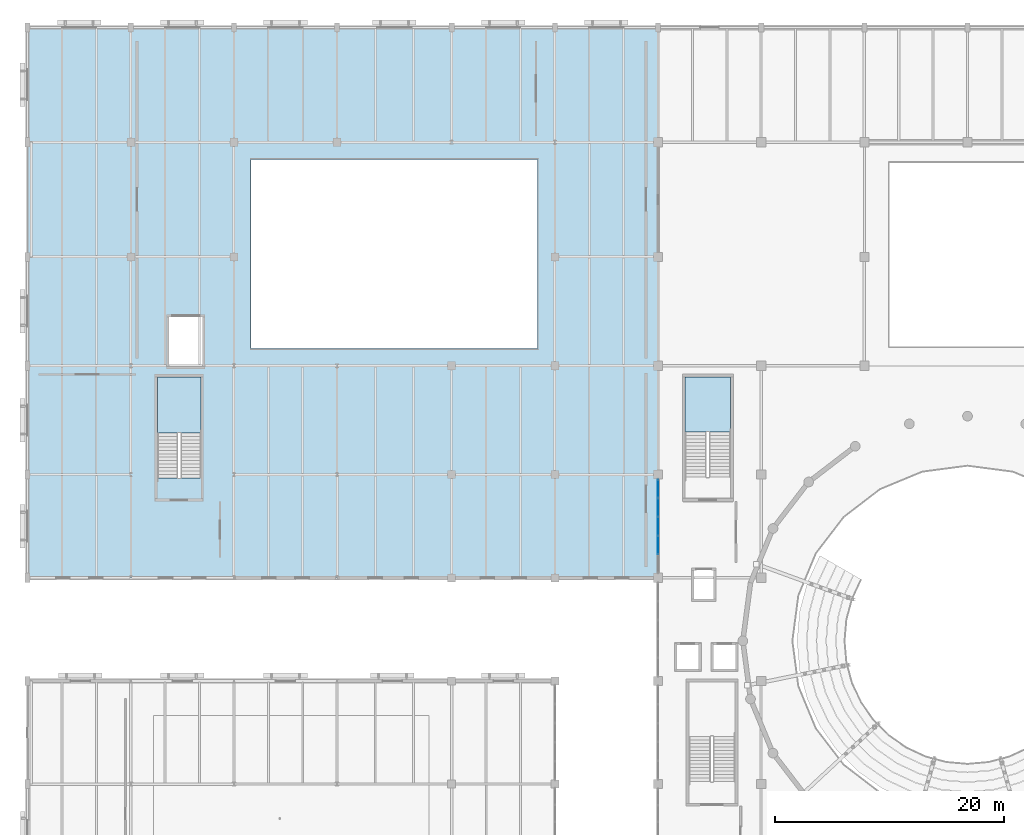
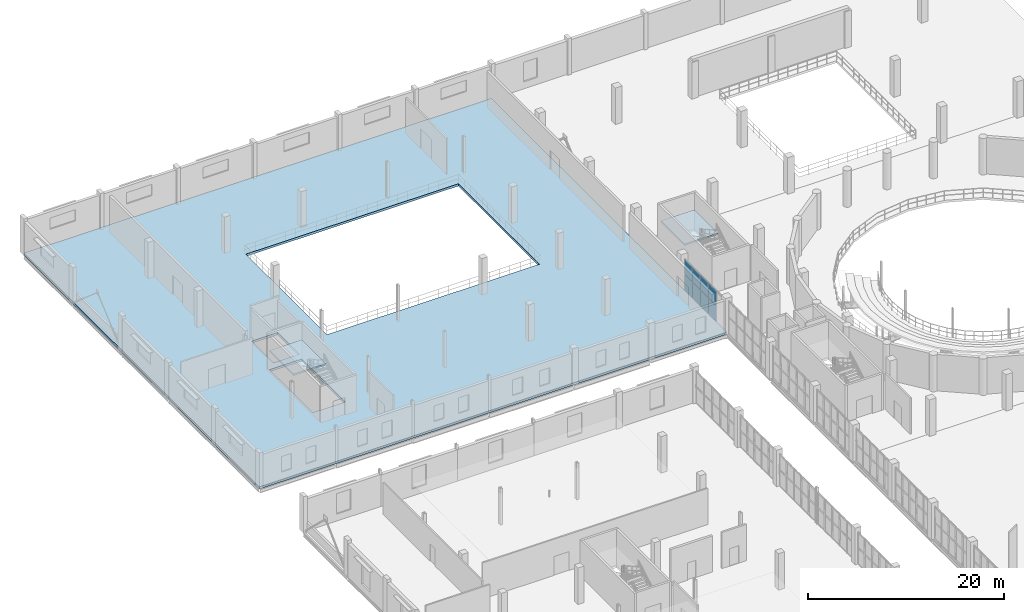
# One storey, part 61 of 93: 8 plates, 3 slabs, 3 elements without a shape of their own.
"""IFC4 building model written with IfcOpenShell, lengths in metres."""

from ifc_helpers import new_model, si_unit, direction, frame, origin, origin_2d, place, context, subcontext, project, spatial, polyline, rectangle, outline, extrude, material, layer, layer_set, type_object, element, aggregate, save


model = new_model("IFC4")

# Units and contexts
model_context = context("Model", 3, precision=1e-05, world=origin(), true_north=direction((0.0, 1.0)))
body_context = subcontext(model_context, "Body", "Model", "MODEL_VIEW")
ifc_project = project(units=[si_unit("LENGTHUNIT", "METRE"), si_unit("AREAUNIT", "SQUARE_METRE"), si_unit("VOLUMEUNIT", "CUBIC_METRE"), si_unit("PLANEANGLEUNIT", "RADIAN"), si_unit("MASSUNIT", "GRAM", prefix="KILO")], contexts=[model_context])

# Site, building, storey
site_placement = place(None, origin())
site = spatial("IfcSite", under=ifc_project, at=site_placement, CompositionType="ELEMENT")
building_placement = place(site_placement, origin())
building = spatial("IfcBuilding", under=site, at=building_placement, Name="Marnock Terrace Opera House", CompositionType="ELEMENT")
storey_placement = place(building_placement, frame((0.0, 0.0, 5.39990234375)))
storey = spatial("IfcBuildingStorey", under=building, at=storey_placement, Name="L01", CompositionType="ELEMENT", Elevation=5.39990234375)

# Curtain wall, plates
ifc_material_1 = material(Name="Anodised architectural bronze aluminium framing", Category="aluminium")
ifc_layer_1 = layer(ifc_material_1, 0.159912109375)
ifc_layer_set_1 = layer_set([ifc_layer_1], Name="Anodised architectural bronze aluminium framing")
curtain_wall_type = type_object("IfcCurtainWallType", Name="CW-FOYER-90x45", PredefinedType="NOTDEFINED", material=ifc_layer_set_1)
curtain_wall_placement = place(storey_placement, origin())
curtain_wall = element("IfcCurtainWall", 1, at=curtain_wall_placement, inside=storey, type_object=curtain_wall_type, Name="L01 glazed Beaux-Arts colonnade curtain wall CW-V1W-L01-08", PredefinedType="NOTDEFINED")
ifc_layer_2 = layer(ifc_material_1, 0.035888671875)
ifc_layer_set_2 = layer_set([ifc_layer_2], Name="Anodised architectural bronze aluminium framing")
plate_type = type_object("IfcPlateType", Name="CWP-SPAND-36", PredefinedType="CURTAIN_PANEL", material=ifc_layer_set_2)
plate_1_placement = place(storey_placement, frame((55.0, 68.8583984375, 0.06005859375), z_axis=(0.0, 0.0, 1.0), x_axis=(0.0, 1.0, 0.0)))
plate_1 = element("IfcPlate", 2, at=plate_1_placement, type_object=plate_type, Name="CW-27 panel 2.1", PredefinedType="CURTAIN_PANEL", context=body_context, shape_type="SweptSolid", body=[
    extrude(rectangle(XDim=1.58154296875, YDim=0.028076171875, at=origin_2d()), origin(), (0.0, 0.0, 1.0), 1.942138671875),
])
plate_2_placement = place(storey_placement, frame((55.0, 68.8583984375, 2.06201171875), z_axis=(0.0, 0.0, 1.0), x_axis=(0.0, 1.0, 0.0)))
plate_2 = element("IfcPlate", 3, at=plate_2_placement, type_object=plate_type, Name="CW-27 panel 2.2", PredefinedType="CURTAIN_PANEL", context=body_context, shape_type="SweptSolid", body=[
    extrude(rectangle(XDim=1.58154296875, YDim=0.028076171875, at=origin_2d()), origin(), (0.0, 0.0, 1.0), 1.785888671875),
])
plate_3_placement = place(storey_placement, frame((55.0, 70.5, 0.06005859375), z_axis=(0.0, 0.0, 1.0), x_axis=(0.0, 1.0, 0.0)))
plate_3 = element("IfcPlate", 4, at=plate_3_placement, type_object=plate_type, Name="CW-27 panel 3.1", PredefinedType="CURTAIN_PANEL", context=body_context, shape_type="SweptSolid", body=[
    extrude(rectangle(XDim=1.58154296875, YDim=0.028076171875, at=origin_2d()), origin(), (0.0, 0.0, 1.0), 1.942138671875),
])
plate_4_placement = place(storey_placement, frame((55.0, 70.5, 2.06201171875), z_axis=(0.0, 0.0, 1.0), x_axis=(0.0, 1.0, 0.0)))
plate_4 = element("IfcPlate", 5, at=plate_4_placement, type_object=plate_type, Name="CW-27 panel 3.2", PredefinedType="CURTAIN_PANEL", context=body_context, shape_type="SweptSolid", body=[
    extrude(rectangle(XDim=1.58154296875, YDim=0.028076171875, at=origin_2d()), origin(), (0.0, 0.0, 1.0), 1.785888671875),
])
plate_5_placement = place(storey_placement, frame((55.0, 72.1416015625, 0.06005859375), z_axis=(0.0, 0.0, 1.0), x_axis=(0.0, 1.0, 0.0)))
plate_5 = element("IfcPlate", 6, at=plate_5_placement, type_object=plate_type, Name="CW-27 panel 4.1", PredefinedType="CURTAIN_PANEL", context=body_context, shape_type="SweptSolid", body=[
    extrude(rectangle(XDim=1.58154296875, YDim=0.028076171875, at=origin_2d()), origin(), (0.0, 0.0, 1.0), 1.942138671875),
])
plate_6_placement = place(storey_placement, frame((55.0, 72.1416015625, 2.06201171875), z_axis=(0.0, 0.0, 1.0), x_axis=(0.0, 1.0, 0.0)))
plate_6 = element("IfcPlate", 7, at=plate_6_placement, type_object=plate_type, Name="CW-27 panel 4.2", PredefinedType="CURTAIN_PANEL", context=body_context, shape_type="SweptSolid", body=[
    extrude(rectangle(XDim=1.58154296875, YDim=0.028076171875, at=origin_2d()), origin(), (0.0, 0.0, 1.0), 1.785888671875),
])
plate_7_placement = place(storey_placement, frame((55.0, 73.768310546875, 0.06005859375), z_axis=(0.0, 0.0, 1.0), x_axis=(0.0, 1.0, 0.0)))
plate_7 = element("IfcPlate", 8, at=plate_7_placement, type_object=plate_type, Name="CW-27 panel 5.1", PredefinedType="CURTAIN_PANEL", context=body_context, shape_type="SweptSolid", body=[
    extrude(rectangle(XDim=1.551513671875, YDim=0.028076171875, at=origin_2d()), origin(), (0.0, 0.0, 1.0), 1.942138671875),
])
plate_8_placement = place(storey_placement, frame((55.0, 73.768310546875, 2.06201171875), z_axis=(0.0, 0.0, 1.0), x_axis=(0.0, 1.0, 0.0)))
plate_8 = element("IfcPlate", 9, at=plate_8_placement, type_object=plate_type, Name="CW-27 panel 5.2", PredefinedType="CURTAIN_PANEL", context=body_context, shape_type="SweptSolid", body=[
    extrude(rectangle(XDim=1.551513671875, YDim=0.028076171875, at=origin_2d()), origin(), (0.0, 0.0, 1.0), 1.785888671875),
])
aggregate(curtain_wall, [plate_1, plate_2, plate_3, plate_4, plate_5, plate_6, plate_7, plate_8])

# Slab
ifc_material_2 = material(Name="Concrete N40 (f'c = 40 MPa)", Category="concrete")
ifc_layer_3 = layer(ifc_material_2, 0.280029296875)
ifc_layer_set_3 = layer_set([ifc_layer_3], Name="Concrete N40 (f'c = 40 MPa)")
slab_type_1 = type_object("IfcSlabType", Name="SL-FLR-280", PredefinedType="FLOOR", material=ifc_layer_set_3)
slab_1_placement = place(storey_placement, frame((0.0, 0.0, -0.27978515625)))
element("IfcSlab", 10, at=slab_1_placement, inside=storey, type_object=slab_type_1, Name="L01 Workshops Wing structural floor slab", PredefinedType="FLOOR", context=body_context, shape_type="SweptSolid", body=[
    extrude(outline(polyline([(0.0, 66.0), (55.0, 66.0), (55.0, 114.0), (0.0, 114.0), (0.0, 66.0)]), holes=[polyline([(15.1201171875, 74.719970703125), (15.1201171875, 83.52001953125), (11.320068359375, 83.52001953125), (11.320068359375, 74.719970703125), (15.1201171875, 74.719970703125)]), polyline([(12.280029296875, 84.3798828125), (15.320068359375, 84.3798828125), (15.320068359375, 88.820068359375), (12.280029296875, 88.820068359375), (12.280029296875, 84.3798828125)]), polyline([(19.5, 86.0), (44.5, 86.0), (44.5, 102.5), (19.5, 102.5), (19.5, 86.0)])]), origin(), (0.0, 0.0, 1.0), 0.27978515625),
])

# Stair, slab
stair_type_1 = type_object("IfcStairType", Name="ST-TYPE-2400", PredefinedType="HALF_TURN_STAIR", material=ifc_material_2)
stair_1_placement = place(storey_placement, origin())
stair_1 = element("IfcStair", 11, at=stair_1_placement, inside=storey, type_object=stair_type_1, Name="L01 ST-03", PredefinedType="HALF_TURN_STAIR")
ifc_material_3 = material(Name="Concrete N32 (f'c = 32 MPa)", Category="concrete")
ifc_layer_4 = layer(ifc_material_3, 0.199951171875)
ifc_layer_set_4 = layer_set([ifc_layer_4], Name="Concrete N32 (f'c = 32 MPa)")
slab_type_2 = type_object("IfcSlabType", Name="SL-LAND-200", PredefinedType="LANDING", material=ifc_layer_set_4)
slab_2_placement = place(storey_placement, frame((0.0, 0.0, 2.2001953125)))
slab_2 = element("IfcSlab", 12, at=slab_2_placement, type_object=slab_type_2, Name="ST-03 landing 1", PredefinedType="LANDING", context=body_context, shape_type="SweptSolid", body=[
    extrude(outline(polyline([(61.320068359375, 78.699951171875), (61.320068359375, 83.52001953125), (57.360107421875, 83.52001953125), (57.360107421875, 78.699951171875), (61.320068359375, 78.699951171875)])), origin(), (0.0, 0.0, 1.0), 0.199951171875),
])
aggregate(stair_1, [slab_2])

stair_type_2 = type_object("IfcStairType", Name="ST-TYPE-2000", PredefinedType="HALF_TURN_STAIR", material=ifc_material_2)
stair_2_placement = place(storey_placement, origin())
stair_2 = element("IfcStair", 13, at=stair_2_placement, inside=storey, type_object=stair_type_2, Name="L01 ST-07", PredefinedType="HALF_TURN_STAIR")
slab_3_placement = place(storey_placement, frame((0.0, 0.0, 2.2001953125)))
slab_3 = element("IfcSlab", 14, at=slab_3_placement, type_object=slab_type_2, Name="ST-07 landing 1", PredefinedType="LANDING", context=body_context, shape_type="SweptSolid", body=[
    extrude(outline(polyline([(15.1201171875, 78.6201171875), (15.1201171875, 83.52001953125), (11.320068359375, 83.52001953125), (11.320068359375, 78.6201171875), (15.1201171875, 78.6201171875)])), origin(), (0.0, 0.0, 1.0), 0.199951171875),
])
aggregate(stair_2, [slab_3])

save(model, "model.ifc")
